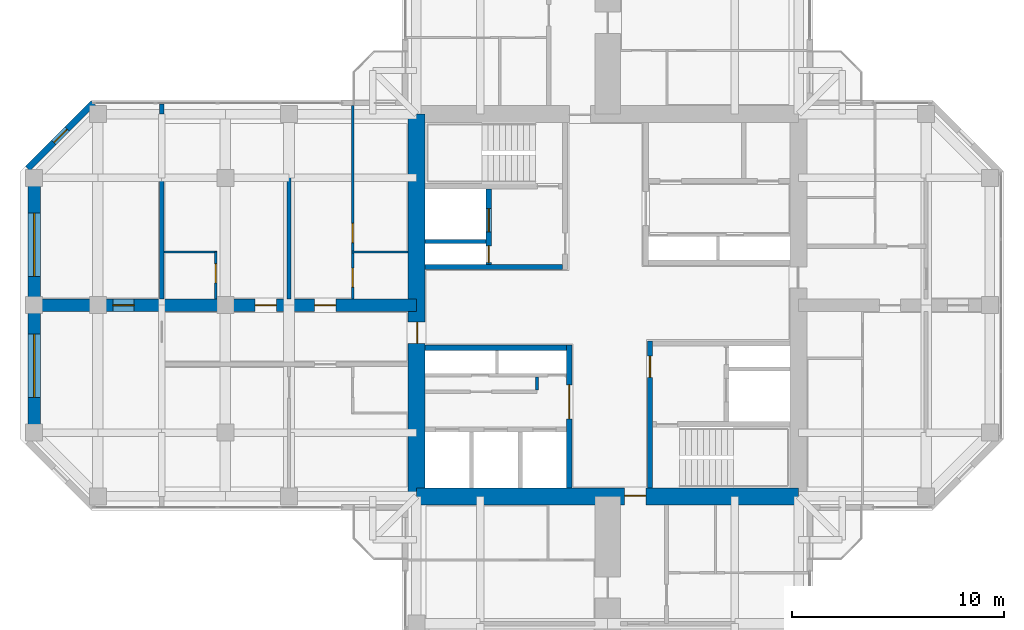
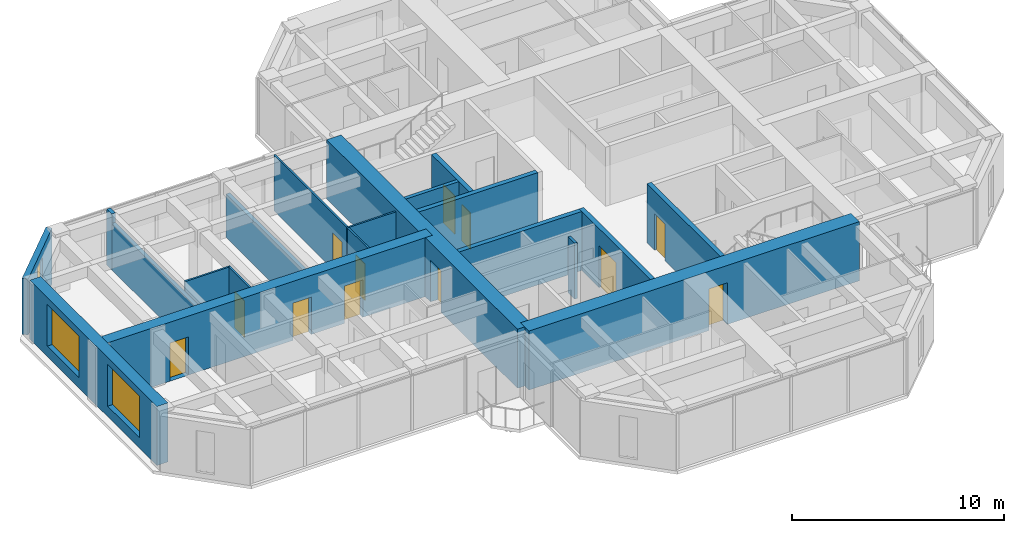
# One storey, part 9 of 13: 19 walls, 12 doors, 3 windows, 15 openings.
"""IFC4 building model written with IfcOpenShell, lengths in metres."""

from ifc_helpers import new_model, si_unit, direction, frame, frame_2d, origin, place, context, subcontext, project, spatial, rectangle, hollow_rectangle, extrude, material, layer, layer_set, constituent, constituent_set, type_object, element, fill, save


model = new_model("IFC4")

# Units and contexts
model_context = context("Model", 3, precision=1e-05, world=origin(), true_north=direction((0.0, 1.0)))
body_context = subcontext(model_context, "Body", "Model", "MODEL_VIEW")
ifc_project = project(units=[si_unit("LENGTHUNIT", "METRE"), si_unit("AREAUNIT", "SQUARE_METRE"), si_unit("VOLUMEUNIT", "CUBIC_METRE"), si_unit("PLANEANGLEUNIT", "RADIAN"), si_unit("MASSUNIT", "GRAM", prefix="KILO")], contexts=[model_context])

# Site, building, storey
site_placement = place(None, origin())
site = spatial("IfcSite", under=ifc_project, at=site_placement, CompositionType="ELEMENT")
building_placement = place(site_placement, origin())
building = spatial("IfcBuilding", under=site, at=building_placement, Name="Torre Cruceta", CompositionType="ELEMENT")
storey_placement = place(building_placement, frame((0.0, 0.0, 232.300048828125)))
storey = spatial("IfcBuildingStorey", under=building, at=storey_placement, Name="L59", CompositionType="ELEMENT", Elevation=232.300048828125)

# Wall
ifc_material_1 = material(Name="Water-resistant plasterboard on steel studs", Category="steel")
ifc_layer_1 = layer(ifc_material_1, 0.10009765625)
ifc_layer_set_1 = layer_set([ifc_layer_1], Name="Water-resistant plasterboard on steel studs")
wall_type_1 = type_object("IfcWallType", Name="BATHROOM WALL 100", PredefinedType="PARTITIONING", material=ifc_layer_set_1)
wall_1_placement = place(storey_placement, frame((-9.39990234375, 2.5, 0.0), z_axis=(0.0, 0.0, 1.0), x_axis=(-1.0, 0.0, 0.0)))
element("IfcWall", 1, at=wall_1_placement, inside=storey, type_object=wall_type_1, Name="PT4 L59-W-U1RBB", PredefinedType="PARTITIONING", context=body_context, shape_type="SweptSolid", body=[
    extrude(rectangle(XDim=2.650146484375, YDim=0.10009765625, at=frame_2d((1.3251953125, 0.0))), origin(), (0.0, 0.0, 1.0), 3.219970703125),
])

# Wall, openings, doors
wall_2_placement = place(storey_placement, frame((-12.0, 9.39501953125, 0.0), z_axis=(0.0, 0.0, 1.0), x_axis=(0.0, -1.0, 0.0)))
wall_2 = element("IfcWall", 2, at=wall_2_placement, inside=storey, type_object=wall_type_1, Name="PT4 L59-W-U1RBS", PredefinedType="PARTITIONING", context=body_context, shape_type="SweptSolid", body=[
    extrude(rectangle(XDim=9.094970703125, YDim=0.10009765625, at=frame_2d((4.54736328125, 0.0))), origin(), (0.0, 0.0, 1.0), 3.219970703125),
])
opening_1_placement = place(wall_2_placement, frame((5.544921875, 0.0, 0.0)))
opening_1 = element("IfcOpeningElement", 3, at=opening_1_placement, cuts=wall_2, Name="Opening D7", PredefinedType="OPENING", context=body_context, shape_type="SweptSolid", body=[
    extrude(rectangle(XDim=0.89990234375, YDim=2.10009765625, at=frame_2d((0.449951171875, 1.050048828125))), frame((0.0, 0.06005859375, 0.0), z_axis=(0.0, -1.0, 0.0), x_axis=(1.0, 0.0, 0.0)), (0.0, 0.0, 1.0), 0.1201171875),
])
opening_2_placement = place(wall_2_placement, frame((7.64501953125, 0.0, 0.0)))
opening_2 = element("IfcOpeningElement", 4, at=opening_2_placement, cuts=wall_2, Name="Opening D7", PredefinedType="OPENING", context=body_context, shape_type="SweptSolid", body=[
    extrude(rectangle(XDim=0.89990234375, YDim=2.10009765625, at=frame_2d((0.449951171875, 1.050048828125))), frame((0.0, 0.06005859375, 0.0), z_axis=(0.0, -1.0, 0.0), x_axis=(1.0, 0.0, 0.0)), (0.0, 0.0, 1.0), 0.1201171875),
])
ifc_material_2 = material(Name="Timber door", Category="wood")
door_type_1 = type_object("IfcDoorType", Name="BATHROOM DOOR 900X2100", OperationType="SINGLE_SWING_LEFT", PredefinedType="DOOR", material=ifc_material_2)
door_1_placement = place(opening_1_placement, origin())
door_1 = element("IfcDoor", 5, at=door_1_placement, inside=storey, type_object=door_type_1, Name="D7 L59-W-U1RBS-D1", OperationType="SINGLE_SWING_RIGHT", OverallHeight=2.10009765625, OverallWidth=0.89990234375, PredefinedType="DOOR", context=body_context, shape_type="SweptSolid", body=[
    extrude(rectangle(XDim=0.89990234375, YDim=2.10009765625, at=frame_2d((0.449951171875, 1.050048828125))), frame((0.0, 0.02490234375, 0.0), z_axis=(0.0, -1.0, 0.0), x_axis=(1.0, 0.0, 0.0)), (0.0, 0.0, 1.0), 0.050048828125),
])
fill(opening_1, door_1)
door_2_placement = place(opening_2_placement, origin())
door_2 = element("IfcDoor", 6, at=door_2_placement, inside=storey, type_object=door_type_1, Name="D7 L59-W-U1RBS-D2", OperationType="SINGLE_SWING_RIGHT", OverallHeight=2.10009765625, OverallWidth=0.89990234375, PredefinedType="DOOR", context=body_context, shape_type="SweptSolid", body=[
    extrude(rectangle(XDim=0.89990234375, YDim=2.10009765625, at=frame_2d((0.449951171875, 1.050048828125))), frame((0.0, 0.02490234375, 0.0), z_axis=(0.0, -1.0, 0.0), x_axis=(1.0, 0.0, 0.0)), (0.0, 0.0, 1.0), 0.050048828125),
])
fill(opening_2, door_2)

# Wall
wall_3_placement = place(storey_placement, frame((-18.39990234375, 2.5, 0.0), z_axis=(0.0, 0.0, 1.0), x_axis=(-1.0, 0.0, 0.0)))
element("IfcWall", 7, at=wall_3_placement, inside=storey, type_object=wall_type_1, Name="PT4 L59-W-U2RBB", PredefinedType="PARTITIONING", context=body_context, shape_type="SweptSolid", body=[
    extrude(rectangle(XDim=2.5, YDim=0.10009765625, at=frame_2d((1.25, 0.0))), origin(), (0.0, 0.0, 1.0), 3.219970703125),
])

# Wall, opening, door
wall_4_placement = place(storey_placement, frame((-18.449951171875, 2.5, 0.0), z_axis=(0.0, 0.0, 1.0), x_axis=(0.0, -1.0, 0.0)))
wall_4 = element("IfcWall", 8, at=wall_4_placement, inside=storey, type_object=wall_type_1, Name="PT4 L59-W-U2RBS", PredefinedType="PARTITIONING", context=body_context, shape_type="SweptSolid", body=[
    extrude(rectangle(XDim=2.199951171875, YDim=0.10009765625, at=frame_2d((1.10009765625, 0.0))), origin(), (0.0, 0.0, 1.0), 3.219970703125),
])
opening_3_placement = place(wall_4_placement, frame((0.550048828125, 0.0, 0.0)))
opening_3 = element("IfcOpeningElement", 9, at=opening_3_placement, cuts=wall_4, Name="Opening D7", PredefinedType="OPENING", context=body_context, shape_type="SweptSolid", body=[
    extrude(rectangle(XDim=0.89990234375, YDim=2.10009765625, at=frame_2d((0.449951171875, 1.050048828125))), frame((0.0, 0.06005859375, 0.0), z_axis=(0.0, -1.0, 0.0), x_axis=(1.0, 0.0, 0.0)), (0.0, 0.0, 1.0), 0.1201171875),
])
door_3_placement = place(opening_3_placement, frame((0.89990234375, 0.0, 0.0), z_axis=(0.0, 0.0, 1.0), x_axis=(-1.0, 0.0, 0.0)))
door_3 = element("IfcDoor", 10, at=door_3_placement, inside=storey, type_object=door_type_1, Name="D7 L59-W-U2RBS-D1", OperationType="SINGLE_SWING_RIGHT", OverallHeight=2.10009765625, OverallWidth=0.89990234375, PredefinedType="DOOR", context=body_context, shape_type="SweptSolid", body=[
    extrude(rectangle(XDim=0.89990234375, YDim=2.10009765625, at=frame_2d((0.449951171875, 1.050048828125))), frame((0.0, 0.025146484375, 0.0), z_axis=(0.0, -1.0, 0.0), x_axis=(1.0, 0.0, 0.0)), (0.0, 0.0, 1.0), 0.050048828125),
])
fill(opening_3, door_3)

# Wall
ifc_material_3 = material(Name="Concrete G60 (fck 60 MPa)", Category="concrete")
ifc_layer_2 = layer(ifc_material_3, 0.25)
ifc_layer_set_2 = layer_set([ifc_layer_2], Name="Concrete G60 (fck 60 MPa)")
wall_type_2 = type_object("IfcWallType", Name="CORE INNER WALL 250 G60", PredefinedType="SHEAR", material=ifc_layer_set_2)
wall_5_placement = place(storey_placement, frame((-2.125, 1.800048828125, 0.0), z_axis=(0.0, 0.0, 1.0), x_axis=(-1.0, 0.0, 0.0)))
element("IfcWall", 11, at=wall_5_placement, inside=storey, type_object=wall_type_2, Name="CW4 L59 NW-CV", PredefinedType="SHEAR", context=body_context, shape_type="SweptSolid", body=[
    extrude(rectangle(XDim=6.47509765625, YDim=0.25, at=frame_2d((3.237548828125, 0.0))), origin(), (0.0, 0.0, 1.0), 3.39990234375),
])

# Wall, openings, doors
wall_6_placement = place(storey_placement, frame((-5.60009765625, 1.925048828125, 0.0), z_axis=(0.0, 0.0, 1.0), x_axis=(0.0, 1.0, 0.0)))
wall_6 = element("IfcWall", 12, at=wall_6_placement, inside=storey, type_object=wall_type_2, Name="CW4 L59 NW-FU", PredefinedType="SHEAR", context=body_context, shape_type="SweptSolid", body=[
    extrude(rectangle(XDim=3.550048828125, YDim=0.25, at=frame_2d((1.77490234375, 0.0))), origin(), (0.0, 0.0, 1.0), 3.39990234375),
])
opening_4_placement = place(wall_6_placement, frame((1.52490234375, 0.0, 0.0)))
opening_4 = element("IfcOpeningElement", 13, at=opening_4_placement, cuts=wall_6, Name="Opening LD1", PredefinedType="OPENING", context=body_context, shape_type="SweptSolid", body=[
    extrude(rectangle(XDim=1.10009765625, YDim=2.199951171875, at=frame_2d((0.550048828125, 1.10009765625))), frame((0.0, 0.135009765625, 0.0), z_axis=(0.0, -1.0, 0.0), x_axis=(1.0, 0.0, 0.0)), (0.0, 0.0, 1.0), 0.27001953125),
])
opening_5_placement = place(wall_6_placement, frame((0.074951171875, 0.0, 0.0)))
opening_5 = element("IfcOpeningElement", 14, at=opening_5_placement, cuts=wall_6, Name="Opening D5", PredefinedType="OPENING", context=body_context, shape_type="SweptSolid", body=[
    extrude(rectangle(XDim=0.800048828125, YDim=2.10009765625, at=frame_2d((0.39990234375, 1.050048828125))), frame((0.0, 0.135009765625, 0.0), z_axis=(0.0, -1.0, 0.0), x_axis=(1.0, 0.0, 0.0)), (0.0, 0.0, 1.0), 0.27001953125),
])
ifc_material_4 = material(Name="Stainless steel 1.4401", Category="steel")
door_type_2 = type_object("IfcDoorType", Name="LIFT LANDING DOOR 1100X2200", OperationType="DOUBLE_DOOR_SLIDING", PredefinedType="DOOR", material=ifc_material_4)
door_4_placement = place(opening_4_placement, origin())
door_4 = element("IfcDoor", 15, at=door_4_placement, inside=storey, type_object=door_type_2, Name="Lift landing door FL1", OperationType="DOUBLE_DOOR_SLIDING", OverallHeight=2.199951171875, OverallWidth=1.10009765625, PredefinedType="DOOR", context=body_context, shape_type="SweptSolid", body=[
    extrude(rectangle(XDim=1.10009765625, YDim=2.199951171875, at=frame_2d((0.550048828125, 1.10009765625))), frame((0.0, 0.02490234375, 0.0), z_axis=(0.0, -1.0, 0.0), x_axis=(1.0, 0.0, 0.0)), (0.0, 0.0, 1.0), 0.050048828125),
])
fill(opening_4, door_4)
ifc_material_5 = material(Name="Steel DX51D", Category="steel")
ifc_constituent_1 = constituent(ifc_material_5, Name="Leaf and frame")
ifc_material_6 = material(Name="Polyester powder coating", Category="paint")
ifc_constituent_2 = constituent(ifc_material_6, Name="Finish")
ifc_constituent_set_1 = constituent_set(constituents=[ifc_constituent_1, ifc_constituent_2], Name="Steel fire door")
door_type_3 = type_object("IfcDoorType", Name="RISER ACCESS DOOR 800X2100", OperationType="SINGLE_SWING_LEFT", PredefinedType="DOOR", material=ifc_constituent_set_1)
door_5_placement = place(opening_5_placement, origin())
door_5 = element("IfcDoor", 16, at=door_5_placement, inside=storey, type_object=door_type_3, Name="D5 L59 NW-RISER", OperationType="SINGLE_SWING_LEFT", OverallHeight=2.10009765625, OverallWidth=0.800048828125, PredefinedType="DOOR", context=body_context, shape_type="SweptSolid", body=[
    extrude(rectangle(XDim=0.800048828125, YDim=2.10009765625, at=frame_2d((0.39990234375, 1.050048828125))), frame((0.0, 0.02490234375, 0.0), z_axis=(0.0, -1.0, 0.0), x_axis=(1.0, 0.0, 0.0)), (0.0, 0.0, 1.0), 0.050048828125),
])
fill(opening_5, door_5)

# Wall, opening, door
wall_7_placement = place(storey_placement, frame((-1.800048828125, -1.875, 0.0), z_axis=(0.0, 0.0, 1.0), x_axis=(0.0, -1.0, 0.0)))
wall_7 = element("IfcWall", 17, at=wall_7_placement, inside=storey, type_object=wall_type_2, Name="CW4 L59 SW-CU", PredefinedType="SHEAR", context=body_context, shape_type="SweptSolid", body=[
    extrude(rectangle(XDim=6.72509765625, YDim=0.25, at=frame_2d((3.362548828125, 0.0))), origin(), (0.0, 0.0, 1.0), 3.39990234375),
])
opening_6_placement = place(wall_7_placement, frame((1.875, 0.0, 0.0)))
opening_6 = element("IfcOpeningElement", 18, at=opening_6_placement, cuts=wall_7, Name="Opening D8", PredefinedType="OPENING", context=body_context, shape_type="SweptSolid", body=[
    extrude(rectangle(XDim=1.60009765625, YDim=2.39990234375, at=frame_2d((0.800048828125, 1.199951171875))), frame((0.0, 0.135009765625, 0.0), z_axis=(0.0, -1.0, 0.0), x_axis=(1.0, 0.0, 0.0)), (0.0, 0.0, 1.0), 0.27001953125),
])
ifc_material_7 = material(Name="Steel DX51D", Category="steel")
ifc_constituent_3 = constituent(ifc_material_7, Name="Leaf and frame")
ifc_material_8 = material(Name="Polyester powder coating", Category="paint")
ifc_constituent_4 = constituent(ifc_material_8, Name="Finish")
ifc_material_9 = material(Name="Fire-resisting glass", Category="glass")
ifc_constituent_5 = constituent(ifc_material_9, Name="Vision panel")
ifc_constituent_set_2 = constituent_set(constituents=[ifc_constituent_3, ifc_constituent_4, ifc_constituent_5], Name="Steel fire door with vision panels")
door_type_4 = type_object("IfcDoorType", Name="LIFT LOBBY DOUBLE DOOR 1600X2400", OperationType="DOUBLE_DOOR_DOUBLE_SWING", PredefinedType="DOOR", material=ifc_constituent_set_2)
door_6_placement = place(opening_6_placement, origin())
door_6 = element("IfcDoor", 19, at=door_6_placement, inside=storey, type_object=door_type_4, Name="D8 L59 SW-LOBBY", OperationType="DOUBLE_DOOR_DOUBLE_SWING", OverallHeight=2.39990234375, OverallWidth=1.60009765625, PredefinedType="DOOR", context=body_context, shape_type="SweptSolid", body=[
    extrude(rectangle(XDim=1.60009765625, YDim=2.39990234375, at=frame_2d((0.800048828125, 1.199951171875))), frame((0.0, 0.02490234375, 0.0), z_axis=(0.0, -1.0, 0.0), x_axis=(1.0, 0.0, 0.0)), (0.0, 0.0, 1.0), 0.050048828125),
])
fill(opening_6, door_6)

# Wall
wall_8_placement = place(storey_placement, frame((-1.925048828125, -2.0, 0.0), z_axis=(0.0, 0.0, 1.0), x_axis=(-1.0, 0.0, 0.0)))
element("IfcWall", 20, at=wall_8_placement, inside=storey, type_object=wall_type_2, Name="CW4 L59 SW-CV", PredefinedType="SHEAR", context=body_context, shape_type="SweptSolid", body=[
    extrude(rectangle(XDim=6.675048828125, YDim=0.25, at=frame_2d((3.33740234375, 0.0))), origin(), (0.0, 0.0, 1.0), 3.39990234375),
])

# Wall, opening, door
wall_9_placement = place(storey_placement, frame((2.0, -1.675048828125, 0.0), z_axis=(0.0, 0.0, 1.0), x_axis=(0.0, -1.0, 0.0)))
wall_9 = element("IfcWall", 21, at=wall_9_placement, inside=storey, type_object=wall_type_2, Name="CW4 L59 SE-CU", PredefinedType="SHEAR", context=body_context, shape_type="SweptSolid", body=[
    extrude(rectangle(XDim=6.925048828125, YDim=0.25, at=frame_2d((3.46240234375, 0.0))), origin(), (0.0, 0.0, 1.0), 3.39990234375),
])
opening_7_placement = place(wall_9_placement, frame((0.72509765625, 0.0, 0.0)))
opening_7 = element("IfcOpeningElement", 22, at=opening_7_placement, cuts=wall_9, Name="Opening D3", PredefinedType="OPENING", context=body_context, shape_type="SweptSolid", body=[
    extrude(rectangle(XDim=1.0, YDim=2.10009765625, at=frame_2d((0.5, 1.050048828125))), frame((0.0, 0.135009765625, 0.0), z_axis=(0.0, -1.0, 0.0), x_axis=(1.0, 0.0, 0.0)), (0.0, 0.0, 1.0), 0.27001953125),
])
ifc_material_10 = material(Name="Steel DX51D", Category="steel")
ifc_constituent_6 = constituent(ifc_material_10, Name="Leaf and frame")
ifc_material_11 = material(Name="Polyester powder coating", Category="paint")
ifc_constituent_7 = constituent(ifc_material_11, Name="Finish")
ifc_constituent_set_3 = constituent_set(constituents=[ifc_constituent_6, ifc_constituent_7], Name="Steel fire door")
door_type_5 = type_object("IfcDoorType", Name="FIRE DOOR 1000X2100", OperationType="SINGLE_SWING_LEFT", PredefinedType="DOOR", material=ifc_constituent_set_3)
door_7_placement = place(opening_7_placement, origin())
door_7 = element("IfcDoor", 23, at=door_7_placement, inside=storey, type_object=door_type_5, Name="D3 L59 SE-LOBBY", OperationType="SINGLE_SWING_LEFT", OverallHeight=2.10009765625, OverallWidth=1.0, PredefinedType="DOOR", context=body_context, shape_type="SweptSolid", body=[
    extrude(rectangle(XDim=1.0, YDim=2.10009765625, at=frame_2d((0.5, 1.050048828125))), frame((0.0, 0.02490234375, 0.0), z_axis=(0.0, -1.0, 0.0), x_axis=(1.0, 0.0, 0.0)), (0.0, 0.0, 1.0), 0.050048828125),
])
fill(opening_7, door_7)

ifc_material_12 = material(Name="Concrete G60 (fck 60 MPa)", Category="concrete")
ifc_layer_3 = layer(ifc_material_12, 0.800048828125)
ifc_layer_set_3 = layer_set([ifc_layer_3], Name="Concrete G60 (fck 60 MPa)")
wall_type_3 = type_object("IfcWallType", Name="CORE WALL 800 G60", PredefinedType="SHEAR", material=ifc_layer_set_3)
wall_10_placement = place(storey_placement, frame((-9.0, -9.0, 0.0), z_axis=(0.0, 0.0, 1.0), x_axis=(1.0, 0.0, 0.0)))
wall_10 = element("IfcWall", 24, at=wall_10_placement, inside=storey, type_object=wall_type_3, Name="CW3 L59 CW-S", PredefinedType="SHEAR", context=body_context, shape_type="SweptSolid", body=[
    extrude(rectangle(XDim=18.0, YDim=0.800048828125, at=frame_2d((9.0, 0.0))), origin(), (0.0, 0.0, 1.0), 3.39990234375),
])
opening_8_placement = place(wall_10_placement, frame((9.800048828125, 0.0, 0.0)))
opening_8 = element("IfcOpeningElement", 25, at=opening_8_placement, cuts=wall_10, Name="Opening D4", PredefinedType="OPENING", context=body_context, shape_type="SweptSolid", body=[
    extrude(rectangle(XDim=1.0, YDim=2.39990234375, at=frame_2d((0.5, 1.199951171875))), frame((0.0, 0.409912109375, 0.0), z_axis=(0.0, -1.0, 0.0), x_axis=(1.0, 0.0, 0.0)), (0.0, 0.0, 1.0), 0.820068359375),
])
ifc_material_13 = material(Name="Steel DX51D", Category="steel")
ifc_constituent_8 = constituent(ifc_material_13, Name="Leaf and frame")
ifc_material_14 = material(Name="Polyester powder coating", Category="paint")
ifc_constituent_9 = constituent(ifc_material_14, Name="Finish")
ifc_constituent_set_4 = constituent_set(constituents=[ifc_constituent_8, ifc_constituent_9], Name="Steel fire door")
door_type_6 = type_object("IfcDoorType", Name="CORE ARM DOOR 1000X2400", OperationType="SINGLE_SWING_RIGHT", PredefinedType="DOOR", material=ifc_constituent_set_4)
door_8_placement = place(opening_8_placement, origin())
door_8 = element("IfcDoor", 26, at=door_8_placement, inside=storey, type_object=door_type_6, Name="D4 L59 CW-S", OperationType="SINGLE_SWING_RIGHT", OverallHeight=2.39990234375, OverallWidth=1.0, PredefinedType="DOOR", context=body_context, shape_type="SweptSolid", body=[
    extrude(rectangle(XDim=1.0, YDim=2.39990234375, at=frame_2d((0.5, 1.199951171875))), frame((0.0, 0.05517578125, 0.0), z_axis=(0.0, -1.0, 0.0), x_axis=(1.0, 0.0, 0.0)), (0.0, 0.0, 1.0), 0.050048828125),
])
fill(opening_8, door_8)

wall_11_placement = place(storey_placement, frame((-9.0, 9.0, 0.0), z_axis=(0.0, 0.0, 1.0), x_axis=(0.0, -1.0, 0.0)))
wall_11 = element("IfcWall", 27, at=wall_11_placement, inside=storey, type_object=wall_type_3, Name="CW3 L59 CW-W", PredefinedType="SHEAR", context=body_context, shape_type="SweptSolid", body=[
    extrude(rectangle(XDim=18.0, YDim=0.800048828125, at=frame_2d((9.0, 0.0))), origin(), (0.0, 0.0, 1.0), 3.39990234375),
])
opening_9_placement = place(wall_11_placement, frame((9.800048828125, 0.0, 0.0)))
opening_9 = element("IfcOpeningElement", 28, at=opening_9_placement, cuts=wall_11, Name="Opening D4", PredefinedType="OPENING", context=body_context, shape_type="SweptSolid", body=[
    extrude(rectangle(XDim=1.0, YDim=2.39990234375, at=frame_2d((0.5, 1.199951171875))), frame((0.0, 0.409912109375, 0.0), z_axis=(0.0, -1.0, 0.0), x_axis=(1.0, 0.0, 0.0)), (0.0, 0.0, 1.0), 0.820068359375),
])
door_9_placement = place(opening_9_placement, origin())
door_9 = element("IfcDoor", 29, at=door_9_placement, inside=storey, type_object=door_type_6, Name="D4 L59 CW-W", OperationType="SINGLE_SWING_RIGHT", OverallHeight=2.39990234375, OverallWidth=1.0, PredefinedType="DOOR", context=body_context, shape_type="SweptSolid", body=[
    extrude(rectangle(XDim=1.0, YDim=2.39990234375, at=frame_2d((0.5, 1.199951171875))), frame((0.0, 0.05517578125, 0.0), z_axis=(0.0, -1.0, 0.0), x_axis=(1.0, 0.0, 0.0)), (0.0, 0.0, 1.0), 0.050048828125),
])
fill(opening_9, door_9)

# Wall, opening, window
ifc_material_15 = material(Name="Concrete G30 (fck 30 MPa)", Category="concrete")
ifc_layer_4 = layer(ifc_material_15, 0.300048828125)
ifc_layer_set_4 = layer_set([ifc_layer_4], Name="Concrete G30 (fck 30 MPa)")
wall_type_4 = type_object("IfcWallType", Name="EXPOSED CONCRETE FACADE WALL 300", PredefinedType="SOLIDWALL", material=ifc_layer_set_4)
wall_12_placement = place(storey_placement, frame((-24.21533203125, 9.52001953125, 0.0), z_axis=(0.0, 0.0, 1.0), x_axis=(-0.707106781187, -0.707106781187, 0.0)))
wall_12 = element("IfcWall", 30, at=wall_12_placement, inside=storey, type_object=wall_type_4, Name="EW1 facade wall L59 W chamfer 11", PredefinedType="SOLIDWALL", context=body_context, shape_type="SweptSolid", body=[
    extrude(rectangle(XDim=4.362548828125, YDim=0.300048828125, at=frame_2d((2.18115234375, 0.0))), origin(), (0.0, 0.0, 1.0), 3.219970703125),
])
opening_10_placement = place(wall_12_placement, frame((1.731201171875, 0.0, 0.300048828125)))
opening_10 = element("IfcOpeningElement", 31, at=opening_10_placement, cuts=wall_12, Name="Opening WN5", PredefinedType="OPENING", context=body_context, shape_type="SweptSolid", body=[
    extrude(rectangle(XDim=0.89990234375, YDim=2.39990234375, at=frame_2d((0.449951171875, 1.199951171875))), frame((0.0, 0.159912109375, 0.0), z_axis=(0.0, -1.0, 0.0), x_axis=(1.0, 0.0, 0.0)), (0.0, 0.0, 1.0), 0.320068359375),
])
ifc_material_16 = material(Name="Aluminium window frame", Category="aluminium")
ifc_constituent_10 = constituent(ifc_material_16, Name="Frame")
ifc_material_17 = material(Name="Laminated insulating glass unit, low-iron clear", Category="glass")
ifc_constituent_11 = constituent(ifc_material_17, Name="Glazing")
ifc_constituent_set_5 = constituent_set(constituents=[ifc_constituent_10, ifc_constituent_11], Name="Aluminium window")
window_type_1 = type_object("IfcWindowType", Name="CHAMFER SLOT WINDOW 900X2400", PartitioningType="SINGLE_PANEL", PredefinedType="WINDOW", material=ifc_constituent_set_5)
window_1_placement = place(opening_10_placement, origin())
window_1 = element("IfcWindow", 32, at=window_1_placement, inside=storey, type_object=window_type_1, Name="WN5 L59 W 1", OverallHeight=2.39990234375, OverallWidth=0.89990234375, PartitioningType="SINGLE_PANEL", PredefinedType="WINDOW", context=body_context, shape_type="SweptSolid", body=[
    extrude(hollow_rectangle(XDim=0.89990234375, YDim=2.39990234375, WallThickness=0.06005859375, at=frame_2d((0.449951171875, 1.199951171875))), frame((0.0, 0.030029296875, 0.0), z_axis=(0.0, -1.0, 0.0), x_axis=(1.0, 0.0, 0.0)), (0.0, 0.0, 1.0), 0.06005859375),
    extrude(rectangle(XDim=0.77880859375, YDim=2.27880859375, at=frame_2d((0.449951171875, 1.199951171875))), frame((0.0, 0.030029296875, 0.0), z_axis=(0.0, -1.0, 0.0), x_axis=(1.0, 0.0, 0.0)), (0.0, 0.0, 1.0), 0.06005859375),
])
fill(opening_10, window_1)

# Wall
ifc_material_18 = material(Name="Concrete G35 (fck 35 MPa)", Category="concrete")
ifc_layer_5 = layer(ifc_material_18, 0.199951171875)
ifc_layer_set_5 = layer_set([ifc_layer_5], Name="Concrete G35 (fck 35 MPa)")
wall_type_5 = type_object("IfcWallType", Name="LIFT SHAFT WALL 200", PredefinedType="PARTITIONING", material=ifc_layer_set_5)
wall_13_placement = place(storey_placement, frame((-5.72509765625, 3.0, 0.0), z_axis=(0.0, 0.0, 1.0), x_axis=(-1.0, 0.0, 0.0)))
element("IfcWall", 33, at=wall_13_placement, inside=storey, type_object=wall_type_5, Name="SW1 L59 NW-FR", PredefinedType="PARTITIONING", context=body_context, shape_type="SweptSolid", body=[
    extrude(rectangle(XDim=2.875, YDim=0.199951171875, at=frame_2d((1.4375, 0.0))), origin(), (0.0, 0.0, 1.0), 3.39990234375),
])

# Wall, openings, windows
ifc_material_19 = material(Name="Concrete G60 (fck 60 MPa)", Category="concrete")
ifc_layer_6 = layer(ifc_material_19, 0.60009765625)
ifc_layer_set_6 = layer_set([ifc_layer_6], Name="Concrete G60 (fck 60 MPa)")
wall_type_6 = type_object("IfcWallType", Name="NOSE WALL 600 G60", PredefinedType="SHEAR", material=ifc_layer_set_6)
wall_14_placement = place(storey_placement, frame((-27.0, 6.0, 0.0), z_axis=(0.0, 0.0, 1.0), x_axis=(0.0, -1.0, 0.0)))
wall_14 = element("IfcWall", 34, at=wall_14_placement, inside=storey, type_object=wall_type_6, Name="NW3 nose wall L59 W", PredefinedType="SHEAR", context=body_context, shape_type="SweptSolid", body=[
    extrude(rectangle(XDim=12.0, YDim=0.60009765625, at=frame_2d((6.0, 0.0))), origin(), (0.0, 0.0, 1.0), 3.39990234375),
])
opening_11_placement = place(wall_14_placement, frame((1.64990234375, 0.0, 0.60009765625)))
opening_11 = element("IfcOpeningElement", 35, at=opening_11_placement, cuts=wall_14, Name="Opening WN6", PredefinedType="OPENING", context=body_context, shape_type="SweptSolid", body=[
    extrude(rectangle(XDim=3.0, YDim=2.39990234375, at=frame_2d((1.5, 1.199951171875))), frame((0.0, 0.31005859375, 0.0), z_axis=(0.0, -1.0, 0.0), x_axis=(1.0, 0.0, 0.0)), (0.0, 0.0, 1.0), 0.6201171875),
])
opening_12_placement = place(wall_14_placement, frame((7.35009765625, 0.0, 0.60009765625)))
opening_12 = element("IfcOpeningElement", 36, at=opening_12_placement, cuts=wall_14, Name="Opening WN6", PredefinedType="OPENING", context=body_context, shape_type="SweptSolid", body=[
    extrude(rectangle(XDim=3.0, YDim=2.39990234375, at=frame_2d((1.5, 1.199951171875))), frame((0.0, 0.31005859375, 0.0), z_axis=(0.0, -1.0, 0.0), x_axis=(1.0, 0.0, 0.0)), (0.0, 0.0, 1.0), 0.6201171875),
])
ifc_material_20 = material(Name="Aluminium window frame", Category="aluminium")
ifc_constituent_12 = constituent(ifc_material_20, Name="Frame")
ifc_material_21 = material(Name="Laminated insulating glass unit, low-iron clear", Category="glass")
ifc_constituent_13 = constituent(ifc_material_21, Name="Glazing")
ifc_constituent_set_6 = constituent_set(constituents=[ifc_constituent_12, ifc_constituent_13], Name="Aluminium window")
window_type_2 = type_object("IfcWindowType", Name="NOSE WALL WINDOW 3000X2400", PartitioningType="SINGLE_PANEL", PredefinedType="WINDOW", material=ifc_constituent_set_6)
window_2_placement = place(opening_11_placement, origin())
window_2 = element("IfcWindow", 37, at=window_2_placement, inside=storey, type_object=window_type_2, Name="WN6 L59 W 1", OverallHeight=2.39990234375, OverallWidth=3.0, PartitioningType="SINGLE_PANEL", PredefinedType="WINDOW", context=body_context, shape_type="SweptSolid", body=[
    extrude(hollow_rectangle(XDim=3.0, YDim=2.39990234375, WallThickness=0.06005859375, at=frame_2d((1.5, 1.199951171875))), frame((0.0, 0.030029296875, 0.0), z_axis=(0.0, -1.0, 0.0), x_axis=(1.0, 0.0, 0.0)), (0.0, 0.0, 1.0), 0.06005859375),
    extrude(rectangle(XDim=2.87890625, YDim=2.27880859375, at=frame_2d((1.5, 1.199951171875))), frame((0.0, 0.030029296875, 0.0), z_axis=(0.0, -1.0, 0.0), x_axis=(1.0, 0.0, 0.0)), (0.0, 0.0, 1.0), 0.06005859375),
])
fill(opening_11, window_2)
window_3_placement = place(opening_12_placement, origin())
window_3 = element("IfcWindow", 38, at=window_3_placement, inside=storey, type_object=window_type_2, Name="WN6 L59 W 2", OverallHeight=2.39990234375, OverallWidth=3.0, PartitioningType="SINGLE_PANEL", PredefinedType="WINDOW", context=body_context, shape_type="SweptSolid", body=[
    extrude(hollow_rectangle(XDim=3.0, YDim=2.39990234375, WallThickness=0.06005859375, at=frame_2d((1.5, 1.199951171875))), frame((0.0, 0.030029296875, 0.0), z_axis=(0.0, -1.0, 0.0), x_axis=(1.0, 0.0, 0.0)), (0.0, 0.0, 1.0), 0.06005859375),
    extrude(rectangle(XDim=2.87890625, YDim=2.27880859375, at=frame_2d((1.5, 1.199951171875))), frame((0.0, 0.030029296875, 0.0), z_axis=(0.0, -1.0, 0.0), x_axis=(1.0, 0.0, 0.0)), (0.0, 0.0, 1.0), 0.06005859375),
])
fill(opening_12, window_3)

# Wall
ifc_material_22 = material(Name="Plasterboard on steel studs", Category="steel")
ifc_layer_7 = layer(ifc_material_22, 0.14990234375)
ifc_layer_set_7 = layer_set([ifc_layer_7], Name="Plasterboard on steel studs")
wall_type_7 = type_object("IfcWallType", Name="PARTITION 150", PredefinedType="PARTITIONING", material=ifc_layer_set_7)
wall_15_placement = place(storey_placement, frame((-3.324951171875, -3.375, 0.0), z_axis=(0.0, 0.0, 1.0), x_axis=(0.0, -1.0, 0.0)))
element("IfcWall", 39, at=wall_15_placement, inside=storey, type_object=wall_type_7, Name="PT1 L59-CORE-SW-CUPBOARDE", PredefinedType="PARTITIONING", context=body_context, shape_type="SweptSolid", body=[
    extrude(rectangle(XDim=0.625, YDim=0.14990234375, at=frame_2d((0.3125, 0.0))), origin(), (0.0, 0.0, 1.0), 3.219970703125),
])

# Wall, openings, doors
ifc_material_23 = material(Name="Concrete G60 (fck 60 MPa)", Category="concrete")
ifc_layer_8 = layer(ifc_material_23, 0.60009765625)
ifc_layer_set_8 = layer_set([ifc_layer_8], Name="Concrete G60 (fck 60 MPa)")
wall_type_8 = type_object("IfcWallType", Name="SPINE WALL 600 G60", PredefinedType="SHEAR", material=ifc_layer_set_8)
wall_16_placement = place(storey_placement, frame((-9.0, 0.0, 0.0), z_axis=(0.0, 0.0, 1.0), x_axis=(-1.0, 0.0, 0.0)))
wall_16 = element("IfcWall", 40, at=wall_16_placement, inside=storey, type_object=wall_type_8, Name="SW5 spine wall L59 W", PredefinedType="SHEAR", context=body_context, shape_type="SweptSolid", body=[
    extrude(rectangle(XDim=18.0, YDim=0.60009765625, at=frame_2d((9.0, 0.0))), origin(), (0.0, 0.0, 1.0), 3.39990234375),
])
opening_13_placement = place(wall_16_placement, frame((3.800048828125, 0.0, 0.0)))
opening_13 = element("IfcOpeningElement", 41, at=opening_13_placement, cuts=wall_16, Name="Opening D6", PredefinedType="OPENING", context=body_context, shape_type="SweptSolid", body=[
    extrude(rectangle(XDim=1.0, YDim=2.14990234375, at=frame_2d((0.5, 1.074951171875))), frame((0.0, 0.31005859375, 0.0), z_axis=(0.0, -1.0, 0.0), x_axis=(1.0, 0.0, 0.0)), (0.0, 0.0, 1.0), 0.6201171875),
])
opening_14_placement = place(wall_16_placement, frame((6.60009765625, 0.0, 0.0)))
opening_14 = element("IfcOpeningElement", 42, at=opening_14_placement, cuts=wall_16, Name="Opening D6", PredefinedType="OPENING", context=body_context, shape_type="SweptSolid", body=[
    extrude(rectangle(XDim=1.0, YDim=2.14990234375, at=frame_2d((0.5, 1.074951171875))), frame((0.0, 0.31005859375, 0.0), z_axis=(0.0, -1.0, 0.0), x_axis=(1.0, 0.0, 0.0)), (0.0, 0.0, 1.0), 0.6201171875),
])
opening_15_placement = place(wall_16_placement, frame((13.300048828125, 0.0, 0.0)))
opening_15 = element("IfcOpeningElement", 43, at=opening_15_placement, cuts=wall_16, Name="Opening D14", PredefinedType="OPENING", context=body_context, shape_type="SweptSolid", body=[
    extrude(rectangle(XDim=1.0, YDim=2.199951171875, at=frame_2d((0.5, 1.10009765625))), frame((0.0, 0.31005859375, 0.0), z_axis=(0.0, -1.0, 0.0), x_axis=(1.0, 0.0, 0.0)), (0.0, 0.0, 1.0), 0.6201171875),
])
ifc_material_24 = material(Name="Steel DX51D", Category="steel")
ifc_constituent_14 = constituent(ifc_material_24, Name="Leaf and frame")
ifc_material_25 = material(Name="Polyester powder coating", Category="paint")
ifc_constituent_15 = constituent(ifc_material_25, Name="Finish")
ifc_material_26 = material(Name="Fire-resisting glass", Category="glass")
ifc_constituent_16 = constituent(ifc_material_26, Name="Vision panel")
ifc_constituent_set_7 = constituent_set(constituents=[ifc_constituent_14, ifc_constituent_15, ifc_constituent_16], Name="Steel fire door with vision panel")
door_type_7 = type_object("IfcDoorType", Name="FIRE DOOR VISION PANEL 1000X2200", OperationType="SINGLE_SWING_RIGHT", PredefinedType="DOOR", material=ifc_constituent_set_7)
door_10_placement = place(opening_15_placement, origin())
door_10 = element("IfcDoor", 44, at=door_10_placement, inside=storey, type_object=door_type_7, Name="D14 L59-W-SP3", OperationType="SINGLE_SWING_LEFT", OverallHeight=2.199951171875, OverallWidth=1.0, PredefinedType="DOOR", context=body_context, shape_type="SweptSolid", body=[
    extrude(rectangle(XDim=1.0, YDim=2.199951171875, at=frame_2d((0.5, 1.10009765625))), frame((0.0, 0.02490234375, 0.0), z_axis=(0.0, -1.0, 0.0), x_axis=(1.0, 0.0, 0.0)), (0.0, 0.0, 1.0), 0.050048828125),
])
fill(opening_15, door_10)
ifc_material_27 = material(Name="Timber fire door", Category="wood")
door_type_8 = type_object("IfcDoorType", Name="UNIT ENTRANCE DOOR 1000X2150", OperationType="SINGLE_SWING_LEFT", PredefinedType="DOOR", material=ifc_material_27)
door_11_placement = place(opening_13_placement, frame((1.0, 0.0, 0.0), z_axis=(0.0, 0.0, 1.0), x_axis=(-1.0, 0.0, 0.0)))
door_11 = element("IfcDoor", 45, at=door_11_placement, inside=storey, type_object=door_type_8, Name="D6 L59-W-SP1", OperationType="SINGLE_SWING_RIGHT", OverallHeight=2.14990234375, OverallWidth=1.0, PredefinedType="DOOR", context=body_context, shape_type="SweptSolid", body=[
    extrude(rectangle(XDim=1.0, YDim=2.14990234375, at=frame_2d((0.5, 1.074951171875))), frame((0.0, 0.025146484375, 0.0), z_axis=(0.0, -1.0, 0.0), x_axis=(1.0, 0.0, 0.0)), (0.0, 0.0, 1.0), 0.050048828125),
])
fill(opening_13, door_11)
door_12_placement = place(opening_14_placement, frame((1.0, 0.0, 0.0), z_axis=(0.0, 0.0, 1.0), x_axis=(-1.0, 0.0, 0.0)))
door_12 = element("IfcDoor", 46, at=door_12_placement, inside=storey, type_object=door_type_8, Name="D6 L59-W-SP2", OperationType="SINGLE_SWING_RIGHT", OverallHeight=2.14990234375, OverallWidth=1.0, PredefinedType="DOOR", context=body_context, shape_type="SweptSolid", body=[
    extrude(rectangle(XDim=1.0, YDim=2.14990234375, at=frame_2d((0.5, 1.074951171875))), frame((0.0, 0.025146484375, 0.0), z_axis=(0.0, -1.0, 0.0), x_axis=(1.0, 0.0, 0.0)), (0.0, 0.0, 1.0), 0.050048828125),
])
fill(opening_14, door_12)

# Walls
ifc_material_28 = material(Name="Concrete G25 (fck 25 MPa)", Category="concrete")
ifc_layer_9 = layer(ifc_material_28, 0.199951171875)
ifc_layer_set_9 = layer_set([ifc_layer_9], Name="Concrete G25 (fck 25 MPa)")
wall_type_9 = type_object("IfcWallType", Name="UNIT SEPARATING WALL 200", PredefinedType="SOLIDWALL", material=ifc_layer_set_9)
wall_17_placement = place(storey_placement, frame((-15.0, 8.60009765625, 0.0), z_axis=(0.0, 0.0, 1.0), x_axis=(0.0, -1.0, 0.0)))
element("IfcWall", 47, at=wall_17_placement, inside=storey, type_object=wall_type_9, Name="PT2 L59-W-P1R", PredefinedType="SOLIDWALL", context=body_context, shape_type="SweptSolid", body=[
    extrude(rectangle(XDim=8.300048828125, YDim=0.199951171875, at=frame_2d((4.14990234375, 0.0))), origin(), (0.0, 0.0, 1.0), 2.52001953125),
])
wall_18_placement = place(storey_placement, frame((-21.0, 9.47998046875, 0.0), z_axis=(0.0, 0.0, 1.0), x_axis=(0.0, -1.0, 0.0)))
element("IfcWall", 48, at=wall_18_placement, inside=storey, type_object=wall_type_9, Name="PT2 L59-W-ENDa", PredefinedType="SOLIDWALL", context=body_context, shape_type="SweptSolid", body=[
    extrude(rectangle(XDim=0.47998046875, YDim=0.199951171875, at=frame_2d((0.239990234375, 0.0))), origin(), (0.0, 0.0, 1.0), 3.219970703125),
])
wall_19_placement = place(storey_placement, frame((-21.0, 9.0, 0.0), z_axis=(0.0, 0.0, 1.0), x_axis=(0.0, -1.0, 0.0)))
element("IfcWall", 49, at=wall_19_placement, inside=storey, type_object=wall_type_9, Name="PT2 L59-W-ENDa 2", PredefinedType="SOLIDWALL", context=body_context, shape_type="SweptSolid", body=[
    extrude(rectangle(XDim=8.699951171875, YDim=0.199951171875, at=frame_2d((4.35009765625, 0.0))), origin(), (0.0, 0.0, 1.0), 2.669921875),
])

save(model, "model.ifc")
